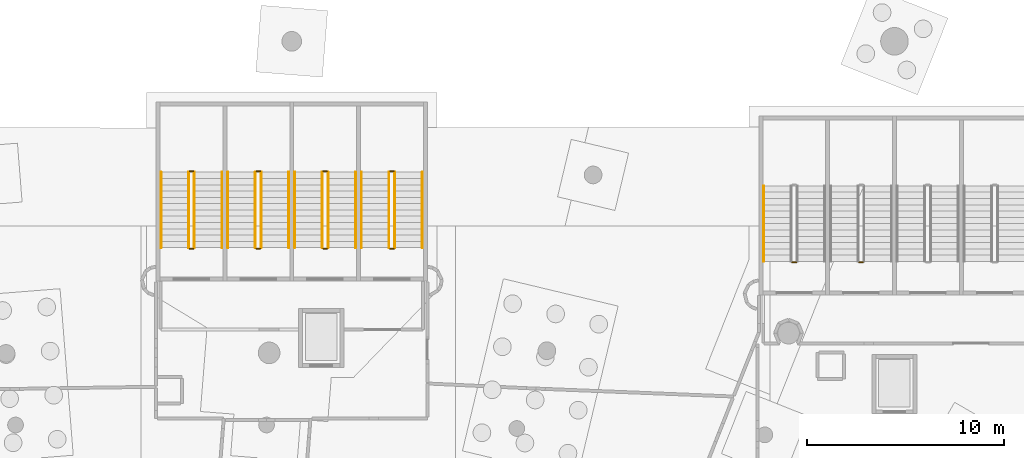
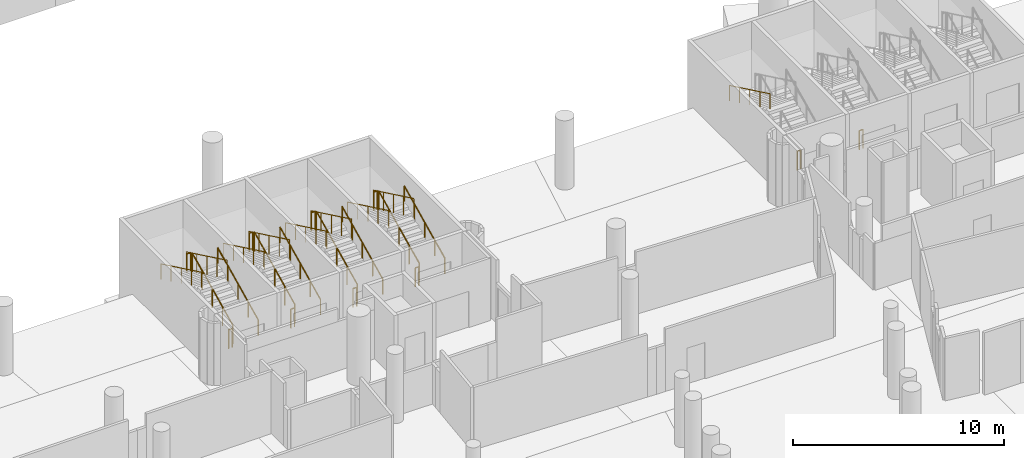
# One storey, part 138 of 142: 27 railings.
"""IFC4 building model written with IfcOpenShell, lengths in metres."""

from ifc_helpers import new_model, si_unit, direction, frame, origin, origin_2d, place, context, subcontext, project, spatial, circle, extrude, material, type_object, element, save


model = new_model("IFC4")

# Units and contexts
model_context = context("Model", 3, precision=1e-05, world=origin(), true_north=direction((0.0, 1.0)))
body_context = subcontext(model_context, "Body", "Model", "MODEL_VIEW")
ifc_project = project(units=[si_unit("LENGTHUNIT", "METRE"), si_unit("AREAUNIT", "SQUARE_METRE"), si_unit("VOLUMEUNIT", "CUBIC_METRE"), si_unit("PLANEANGLEUNIT", "RADIAN"), si_unit("MASSUNIT", "GRAM", prefix="KILO")], contexts=[model_context])

# Site, building, storey
site_placement = place(None, origin())
site = spatial("IfcSite", under=ifc_project, at=site_placement, CompositionType="ELEMENT")
building_placement = place(site_placement, origin())
building = spatial("IfcBuilding", under=site, at=building_placement, Name="Meseta Stadium", CompositionType="ELEMENT")
storey_placement = place(building_placement, frame((0.0, 0.0, -4.0)))
storey = spatial("IfcBuildingStorey", under=building, at=storey_placement, Name="B1", CompositionType="ELEMENT", Elevation=-4.0)

# Railings
ifc_material_1 = material(Name="Steel S355", Category="steel")
railing_type_1 = type_object("IfcRailingType", Name="Stair guard 1100", PredefinedType="GUARDRAIL", material=ifc_material_1)
for number, where, name in (
    (1, (36.7333984375, 94.14990234375, 0.0), "ST35 B1 guard 4"),
    (2, (33.333251953125, 94.14990234375, 0.0), "ST36 B1 guard 4"),
):
    element("IfcRailing", number, at=place(storey_placement, frame(where)), inside=storey, type_object=railing_type_1, Name=name, PredefinedType="GUARDRAIL", context=body_context, shape_type="SweptSolid", body=[
        extrude(circle(Radius=0.02392578125, at=origin_2d()), frame((0.0, 0.0, 1.076171875), z_axis=(-1.0, 0.0, 0.0), x_axis=(0.0, -1.0, 0.0)), (0.0, 0.0, 1.0), 0.199951171875),
        extrude(circle(Radius=0.02099609375, at=origin_2d()), origin(), (0.0, 0.0, 1.0), 1.052001953125),
        extrude(circle(Radius=0.02099609375, at=origin_2d()), frame((-0.199951171875, 0.0, 0.0)), (0.0, 0.0, 1.0), 1.052001953125),
    ])
railing_1_placement = place(storey_placement, frame((12.916748046875, 94.89990234375, 0.15380859375)))
element("IfcRailing", 3, at=railing_1_placement, inside=storey, type_object=railing_type_1, Name="ST37 B1 guard 1", PredefinedType="GUARDRAIL", context=body_context, shape_type="SweptSolid", body=[
    extrude(circle(Radius=0.02392578125, at=origin_2d()), frame((0.0, 0.0, 1.076171875), z_axis=(0.0, 0.901252854825, 0.433293539843), x_axis=(-1.0, 0.0, 0.0)), (0.0, 0.0, 1.0), 4.2607421875),
    extrude(circle(Radius=0.02099609375, at=origin_2d()), origin(), (0.0, 0.0, 1.0), 1.052001953125),
    extrude(circle(Radius=0.02099609375, at=origin_2d()), frame((0.0, 0.9599609375, 0.46142578125)), (0.0, 0.0, 1.0), 1.052001953125),
    extrude(circle(Radius=0.02099609375, at=origin_2d()), frame((0.0, 1.919921875, 0.923095703125)), (0.0, 0.0, 1.0), 1.052001953125),
    extrude(circle(Radius=0.02099609375, at=origin_2d()), frame((0.0, 2.880126953125, 1.384765625)), (0.0, 0.0, 1.0), 1.052001953125),
    extrude(circle(Radius=0.02099609375, at=origin_2d()), frame((0.0, 3.840087890625, 1.84619140625)), (0.0, 0.0, 1.0), 1.052001953125),
])
railing_2_placement = place(storey_placement, frame((12.86669921875, 98.7900390625, 2.0)))
element("IfcRailing", 4, at=railing_2_placement, inside=storey, type_object=railing_type_1, Name="ST37 B1 guard 2", PredefinedType="GUARDRAIL", context=body_context, shape_type="SweptSolid", body=[
    extrude(circle(Radius=0.02392578125, at=origin_2d()), frame((0.0, 0.0, 1.076171875), z_axis=(-1.0, 0.0, 0.0), x_axis=(0.0, -1.0, 0.0)), (0.0, 0.0, 1.0), 0.199951171875),
    extrude(circle(Radius=0.02099609375, at=origin_2d()), origin(), (0.0, 0.0, 1.0), 1.052001953125),
    extrude(circle(Radius=0.02099609375, at=origin_2d()), frame((-0.199951171875, 0.0, 0.0)), (0.0, 0.0, 1.0), 1.052001953125),
])
railing_3_placement = place(storey_placement, frame((12.61669921875, 98.739990234375, 2.15380859375)))
element("IfcRailing", 5, at=railing_3_placement, inside=storey, type_object=railing_type_1, Name="ST37 B1 guard 3", PredefinedType="GUARDRAIL", context=body_context, shape_type="SweptSolid", body=[
    extrude(circle(Radius=0.02392578125, at=origin_2d()), frame((0.0, 0.0, 1.076171875), z_axis=(0.0, -0.901252854825, 0.433293539843), x_axis=(1.0, 0.0, 0.0)), (0.0, 0.0, 1.0), 4.2607421875),
    extrude(circle(Radius=0.02099609375, at=origin_2d()), origin(), (0.0, 0.0, 1.0), 1.052001953125),
    extrude(circle(Radius=0.02099609375, at=origin_2d()), frame((0.0, -0.9599609375, 0.46142578125)), (0.0, 0.0, 1.0), 1.052001953125),
    extrude(circle(Radius=0.02099609375, at=origin_2d()), frame((0.0, -1.919921875, 0.923095703125)), (0.0, 0.0, 1.0), 1.052001953125),
    extrude(circle(Radius=0.02099609375, at=origin_2d()), frame((0.0, -2.880126953125, 1.384765625)), (0.0, 0.0, 1.0), 1.052001953125),
    extrude(circle(Radius=0.02099609375, at=origin_2d()), frame((0.0, -3.840087890625, 1.84619140625)), (0.0, 0.0, 1.0), 1.052001953125),
])
railing_4_placement = place(storey_placement, frame((12.86669921875, 94.85009765625, 0.0)))
element("IfcRailing", 6, at=railing_4_placement, inside=storey, type_object=railing_type_1, Name="ST37 B1 guard 4", PredefinedType="GUARDRAIL", context=body_context, shape_type="SweptSolid", body=[
    extrude(circle(Radius=0.02392578125, at=origin_2d()), frame((0.0, 0.0, 1.076171875), z_axis=(-1.0, 0.0, 0.0), x_axis=(0.0, -1.0, 0.0)), (0.0, 0.0, 1.0), 0.199951171875),
    extrude(circle(Radius=0.02099609375, at=origin_2d()), origin(), (0.0, 0.0, 1.0), 1.052001953125),
    extrude(circle(Radius=0.02099609375, at=origin_2d()), frame((-0.199951171875, 0.0, 0.0)), (0.0, 0.0, 1.0), 1.052001953125),
])
railing_5_placement = place(storey_placement, frame((9.5166015625, 94.89990234375, 0.15380859375)))
element("IfcRailing", 7, at=railing_5_placement, inside=storey, type_object=railing_type_1, Name="ST38 B1 guard 1", PredefinedType="GUARDRAIL", context=body_context, shape_type="SweptSolid", body=[
    extrude(circle(Radius=0.02392578125, at=origin_2d()), frame((0.0, 0.0, 1.076171875), z_axis=(0.0, 0.901252854825, 0.433293539843), x_axis=(-1.0, 0.0, 0.0)), (0.0, 0.0, 1.0), 4.2607421875),
    extrude(circle(Radius=0.02099609375, at=origin_2d()), origin(), (0.0, 0.0, 1.0), 1.052001953125),
    extrude(circle(Radius=0.02099609375, at=origin_2d()), frame((0.0, 0.9599609375, 0.46142578125)), (0.0, 0.0, 1.0), 1.052001953125),
    extrude(circle(Radius=0.02099609375, at=origin_2d()), frame((0.0, 1.919921875, 0.923095703125)), (0.0, 0.0, 1.0), 1.052001953125),
    extrude(circle(Radius=0.02099609375, at=origin_2d()), frame((0.0, 2.880126953125, 1.384765625)), (0.0, 0.0, 1.0), 1.052001953125),
    extrude(circle(Radius=0.02099609375, at=origin_2d()), frame((0.0, 3.840087890625, 1.84619140625)), (0.0, 0.0, 1.0), 1.052001953125),
])
railing_6_placement = place(storey_placement, frame((9.466552734375, 98.7900390625, 2.0)))
element("IfcRailing", 8, at=railing_6_placement, inside=storey, type_object=railing_type_1, Name="ST38 B1 guard 2", PredefinedType="GUARDRAIL", context=body_context, shape_type="SweptSolid", body=[
    extrude(circle(Radius=0.02392578125, at=origin_2d()), frame((0.0, 0.0, 1.076171875), z_axis=(-1.0, 0.0, 0.0), x_axis=(0.0, -1.0, 0.0)), (0.0, 0.0, 1.0), 0.199951171875),
    extrude(circle(Radius=0.02099609375, at=origin_2d()), origin(), (0.0, 0.0, 1.0), 1.052001953125),
    extrude(circle(Radius=0.02099609375, at=origin_2d()), frame((-0.199951171875, 0.0, 0.0)), (0.0, 0.0, 1.0), 1.052001953125),
])
railing_7_placement = place(storey_placement, frame((9.216552734375, 98.739990234375, 2.15380859375)))
element("IfcRailing", 9, at=railing_7_placement, inside=storey, type_object=railing_type_1, Name="ST38 B1 guard 3", PredefinedType="GUARDRAIL", context=body_context, shape_type="SweptSolid", body=[
    extrude(circle(Radius=0.02392578125, at=origin_2d()), frame((0.0, 0.0, 1.076171875), z_axis=(0.0, -0.901252854825, 0.433293539843), x_axis=(1.0, 0.0, 0.0)), (0.0, 0.0, 1.0), 4.2607421875),
    extrude(circle(Radius=0.02099609375, at=origin_2d()), origin(), (0.0, 0.0, 1.0), 1.052001953125),
    extrude(circle(Radius=0.02099609375, at=origin_2d()), frame((0.0, -0.9599609375, 0.46142578125)), (0.0, 0.0, 1.0), 1.052001953125),
    extrude(circle(Radius=0.02099609375, at=origin_2d()), frame((0.0, -1.919921875, 0.923095703125)), (0.0, 0.0, 1.0), 1.052001953125),
    extrude(circle(Radius=0.02099609375, at=origin_2d()), frame((0.0, -2.880126953125, 1.384765625)), (0.0, 0.0, 1.0), 1.052001953125),
    extrude(circle(Radius=0.02099609375, at=origin_2d()), frame((0.0, -3.840087890625, 1.84619140625)), (0.0, 0.0, 1.0), 1.052001953125),
])
railing_8_placement = place(storey_placement, frame((9.466552734375, 94.85009765625, 0.0)))
element("IfcRailing", 10, at=railing_8_placement, inside=storey, type_object=railing_type_1, Name="ST38 B1 guard 4", PredefinedType="GUARDRAIL", context=body_context, shape_type="SweptSolid", body=[
    extrude(circle(Radius=0.02392578125, at=origin_2d()), frame((0.0, 0.0, 1.076171875), z_axis=(-1.0, 0.0, 0.0), x_axis=(0.0, -1.0, 0.0)), (0.0, 0.0, 1.0), 0.199951171875),
    extrude(circle(Radius=0.02099609375, at=origin_2d()), origin(), (0.0, 0.0, 1.0), 1.052001953125),
    extrude(circle(Radius=0.02099609375, at=origin_2d()), frame((-0.199951171875, 0.0, 0.0)), (0.0, 0.0, 1.0), 1.052001953125),
])
railing_9_placement = place(storey_placement, frame((6.11669921875, 94.89990234375, 0.15380859375)))
element("IfcRailing", 11, at=railing_9_placement, inside=storey, type_object=railing_type_1, Name="ST39 B1 guard 1", PredefinedType="GUARDRAIL", context=body_context, shape_type="SweptSolid", body=[
    extrude(circle(Radius=0.02392578125, at=origin_2d()), frame((0.0, 0.0, 1.076171875), z_axis=(0.0, 0.901252854825, 0.433293539843), x_axis=(-1.0, 0.0, 0.0)), (0.0, 0.0, 1.0), 4.2607421875),
    extrude(circle(Radius=0.02099609375, at=origin_2d()), origin(), (0.0, 0.0, 1.0), 1.052001953125),
    extrude(circle(Radius=0.02099609375, at=origin_2d()), frame((0.0, 0.9599609375, 0.46142578125)), (0.0, 0.0, 1.0), 1.052001953125),
    extrude(circle(Radius=0.02099609375, at=origin_2d()), frame((0.0, 1.919921875, 0.923095703125)), (0.0, 0.0, 1.0), 1.052001953125),
    extrude(circle(Radius=0.02099609375, at=origin_2d()), frame((0.0, 2.880126953125, 1.384765625)), (0.0, 0.0, 1.0), 1.052001953125),
    extrude(circle(Radius=0.02099609375, at=origin_2d()), frame((0.0, 3.840087890625, 1.84619140625)), (0.0, 0.0, 1.0), 1.052001953125),
])
railing_10_placement = place(storey_placement, frame((6.066650390625, 98.7900390625, 2.0)))
element("IfcRailing", 12, at=railing_10_placement, inside=storey, type_object=railing_type_1, Name="ST39 B1 guard 2", PredefinedType="GUARDRAIL", context=body_context, shape_type="SweptSolid", body=[
    extrude(circle(Radius=0.02392578125, at=origin_2d()), frame((0.0, 0.0, 1.076171875), z_axis=(-1.0, 0.0, 0.0), x_axis=(0.0, -1.0, 0.0)), (0.0, 0.0, 1.0), 0.199951171875),
    extrude(circle(Radius=0.02099609375, at=origin_2d()), origin(), (0.0, 0.0, 1.0), 1.052001953125),
    extrude(circle(Radius=0.02099609375, at=origin_2d()), frame((-0.199951171875, 0.0, 0.0)), (0.0, 0.0, 1.0), 1.052001953125),
])
railing_11_placement = place(storey_placement, frame((5.816650390625, 98.739990234375, 2.15380859375)))
element("IfcRailing", 13, at=railing_11_placement, inside=storey, type_object=railing_type_1, Name="ST39 B1 guard 3", PredefinedType="GUARDRAIL", context=body_context, shape_type="SweptSolid", body=[
    extrude(circle(Radius=0.02392578125, at=origin_2d()), frame((0.0, 0.0, 1.076171875), z_axis=(0.0, -0.901252854825, 0.433293539843), x_axis=(1.0, 0.0, 0.0)), (0.0, 0.0, 1.0), 4.2607421875),
    extrude(circle(Radius=0.02099609375, at=origin_2d()), origin(), (0.0, 0.0, 1.0), 1.052001953125),
    extrude(circle(Radius=0.02099609375, at=origin_2d()), frame((0.0, -0.9599609375, 0.46142578125)), (0.0, 0.0, 1.0), 1.052001953125),
    extrude(circle(Radius=0.02099609375, at=origin_2d()), frame((0.0, -1.919921875, 0.923095703125)), (0.0, 0.0, 1.0), 1.052001953125),
    extrude(circle(Radius=0.02099609375, at=origin_2d()), frame((0.0, -2.880126953125, 1.384765625)), (0.0, 0.0, 1.0), 1.052001953125),
    extrude(circle(Radius=0.02099609375, at=origin_2d()), frame((0.0, -3.840087890625, 1.84619140625)), (0.0, 0.0, 1.0), 1.052001953125),
])
railing_12_placement = place(storey_placement, frame((6.066650390625, 94.85009765625, 0.0)))
element("IfcRailing", 14, at=railing_12_placement, inside=storey, type_object=railing_type_1, Name="ST39 B1 guard 4", PredefinedType="GUARDRAIL", context=body_context, shape_type="SweptSolid", body=[
    extrude(circle(Radius=0.02392578125, at=origin_2d()), frame((0.0, 0.0, 1.076171875), z_axis=(-1.0, 0.0, 0.0), x_axis=(0.0, -1.0, 0.0)), (0.0, 0.0, 1.0), 0.199951171875),
    extrude(circle(Radius=0.02099609375, at=origin_2d()), origin(), (0.0, 0.0, 1.0), 1.052001953125),
    extrude(circle(Radius=0.02099609375, at=origin_2d()), frame((-0.199951171875, 0.0, 0.0)), (0.0, 0.0, 1.0), 1.052001953125),
])
railing_13_placement = place(storey_placement, frame((2.716552734375, 94.89990234375, 0.15380859375)))
element("IfcRailing", 15, at=railing_13_placement, inside=storey, type_object=railing_type_1, Name="ST40 B1 guard 1", PredefinedType="GUARDRAIL", context=body_context, shape_type="SweptSolid", body=[
    extrude(circle(Radius=0.02392578125, at=origin_2d()), frame((0.0, 0.0, 1.076171875), z_axis=(0.0, 0.901252854825, 0.433293539843), x_axis=(-1.0, 0.0, 0.0)), (0.0, 0.0, 1.0), 4.2607421875),
    extrude(circle(Radius=0.02099609375, at=origin_2d()), origin(), (0.0, 0.0, 1.0), 1.052001953125),
    extrude(circle(Radius=0.02099609375, at=origin_2d()), frame((0.0, 0.9599609375, 0.46142578125)), (0.0, 0.0, 1.0), 1.052001953125),
    extrude(circle(Radius=0.02099609375, at=origin_2d()), frame((0.0, 1.919921875, 0.923095703125)), (0.0, 0.0, 1.0), 1.052001953125),
    extrude(circle(Radius=0.02099609375, at=origin_2d()), frame((0.0, 2.880126953125, 1.384765625)), (0.0, 0.0, 1.0), 1.052001953125),
    extrude(circle(Radius=0.02099609375, at=origin_2d()), frame((0.0, 3.840087890625, 1.84619140625)), (0.0, 0.0, 1.0), 1.052001953125),
])
railing_14_placement = place(storey_placement, frame((2.666748046875, 98.7900390625, 2.0)))
element("IfcRailing", 16, at=railing_14_placement, inside=storey, type_object=railing_type_1, Name="ST40 B1 guard 2", PredefinedType="GUARDRAIL", context=body_context, shape_type="SweptSolid", body=[
    extrude(circle(Radius=0.02392578125, at=origin_2d()), frame((0.0, 0.0, 1.076171875), z_axis=(-1.0, 0.0, 0.0), x_axis=(0.0, -1.0, 0.0)), (0.0, 0.0, 1.0), 0.2001953125),
    extrude(circle(Radius=0.02099609375, at=origin_2d()), origin(), (0.0, 0.0, 1.0), 1.052001953125),
    extrude(circle(Radius=0.02099609375, at=origin_2d()), frame((-0.2001953125, 0.0, 0.0)), (0.0, 0.0, 1.0), 1.052001953125),
])
railing_15_placement = place(storey_placement, frame((2.416748046875, 98.739990234375, 2.15380859375)))
element("IfcRailing", 17, at=railing_15_placement, inside=storey, type_object=railing_type_1, Name="ST40 B1 guard 3", PredefinedType="GUARDRAIL", context=body_context, shape_type="SweptSolid", body=[
    extrude(circle(Radius=0.02392578125, at=origin_2d()), frame((0.0, 0.0, 1.076171875), z_axis=(0.0, -0.901252854825, 0.433293539843), x_axis=(1.0, 0.0, 0.0)), (0.0, 0.0, 1.0), 4.2607421875),
    extrude(circle(Radius=0.02099609375, at=origin_2d()), origin(), (0.0, 0.0, 1.0), 1.052001953125),
    extrude(circle(Radius=0.02099609375, at=origin_2d()), frame((0.0, -0.9599609375, 0.46142578125)), (0.0, 0.0, 1.0), 1.052001953125),
    extrude(circle(Radius=0.02099609375, at=origin_2d()), frame((0.0, -1.919921875, 0.923095703125)), (0.0, 0.0, 1.0), 1.052001953125),
    extrude(circle(Radius=0.02099609375, at=origin_2d()), frame((0.0, -2.880126953125, 1.384765625)), (0.0, 0.0, 1.0), 1.052001953125),
    extrude(circle(Radius=0.02099609375, at=origin_2d()), frame((0.0, -3.840087890625, 1.84619140625)), (0.0, 0.0, 1.0), 1.052001953125),
])
railing_16_placement = place(storey_placement, frame((2.666748046875, 94.85009765625, 0.0)))
element("IfcRailing", 18, at=railing_16_placement, inside=storey, type_object=railing_type_1, Name="ST40 B1 guard 4", PredefinedType="GUARDRAIL", context=body_context, shape_type="SweptSolid", body=[
    extrude(circle(Radius=0.02392578125, at=origin_2d()), frame((0.0, 0.0, 1.076171875), z_axis=(-1.0, 0.0, 0.0), x_axis=(0.0, -1.0, 0.0)), (0.0, 0.0, 1.0), 0.2001953125),
    extrude(circle(Radius=0.02099609375, at=origin_2d()), origin(), (0.0, 0.0, 1.0), 1.052001953125),
    extrude(circle(Radius=0.02099609375, at=origin_2d()), frame((-0.2001953125, 0.0, 0.0)), (0.0, 0.0, 1.0), 1.052001953125),
])
ifc_material_2 = material(Name="Steel S355", Category="steel")
railing_type_2 = type_object("IfcRailingType", Name="Stair handrail 900", PredefinedType="HANDRAIL", material=ifc_material_2)
railing_17_placement = place(storey_placement, frame((31.683349609375, 98.0400390625, 2.15380859375)))
element("IfcRailing", 19, at=railing_17_placement, inside=storey, type_object=railing_type_2, Name="ST36 B1 handrail 2", PredefinedType="HANDRAIL", context=body_context, shape_type="SweptSolid", body=[
    extrude(circle(Radius=0.02392578125, at=origin_2d()), frame((0.0, 0.0, 0.8759765625), z_axis=(0.0, -0.901252854825, 0.433293539843), x_axis=(1.0, 0.0, 0.0)), (0.0, 0.0, 1.0), 4.2607421875),
    extrude(circle(Radius=0.02099609375, at=origin_2d()), origin(), (0.0, 0.0, 1.0), 0.851806640625),
    extrude(circle(Radius=0.02099609375, at=origin_2d()), frame((0.0, -0.9599609375, 0.46142578125)), (0.0, 0.0, 1.0), 0.851806640625),
    extrude(circle(Radius=0.02099609375, at=origin_2d()), frame((0.0, -1.919921875, 0.923095703125)), (0.0, 0.0, 1.0), 0.851806640625),
    extrude(circle(Radius=0.02099609375, at=origin_2d()), frame((0.0, -2.880126953125, 1.384765625)), (0.0, 0.0, 1.0), 0.851806640625),
    extrude(circle(Radius=0.02099609375, at=origin_2d()), frame((0.0, -3.840087890625, 1.84619140625)), (0.0, 0.0, 1.0), 0.851806640625),
])
railing_18_placement = place(storey_placement, frame((14.316650390625, 94.89990234375, 0.15380859375)))
element("IfcRailing", 20, at=railing_18_placement, inside=storey, type_object=railing_type_2, Name="ST37 B1 handrail 1", PredefinedType="HANDRAIL", context=body_context, shape_type="SweptSolid", body=[
    extrude(circle(Radius=0.02392578125, at=origin_2d()), frame((0.0, 0.0, 0.8759765625), z_axis=(0.0, 0.901252854825, 0.433293539843), x_axis=(-1.0, 0.0, 0.0)), (0.0, 0.0, 1.0), 4.2607421875),
    extrude(circle(Radius=0.02099609375, at=origin_2d()), origin(), (0.0, 0.0, 1.0), 0.851806640625),
    extrude(circle(Radius=0.02099609375, at=origin_2d()), frame((0.0, 0.9599609375, 0.46142578125)), (0.0, 0.0, 1.0), 0.851806640625),
    extrude(circle(Radius=0.02099609375, at=origin_2d()), frame((0.0, 1.919921875, 0.923095703125)), (0.0, 0.0, 1.0), 0.851806640625),
    extrude(circle(Radius=0.02099609375, at=origin_2d()), frame((0.0, 2.880126953125, 1.384765625)), (0.0, 0.0, 1.0), 0.851806640625),
    extrude(circle(Radius=0.02099609375, at=origin_2d()), frame((0.0, 3.840087890625, 1.84619140625)), (0.0, 0.0, 1.0), 0.851806640625),
])
railing_19_placement = place(storey_placement, frame((11.216552734375, 98.739990234375, 2.15380859375)))
element("IfcRailing", 21, at=railing_19_placement, inside=storey, type_object=railing_type_2, Name="ST37 B1 handrail 2", PredefinedType="HANDRAIL", context=body_context, shape_type="SweptSolid", body=[
    extrude(circle(Radius=0.02392578125, at=origin_2d()), frame((0.0, 0.0, 0.8759765625), z_axis=(0.0, -0.901252854825, 0.433293539843), x_axis=(1.0, 0.0, 0.0)), (0.0, 0.0, 1.0), 4.2607421875),
    extrude(circle(Radius=0.02099609375, at=origin_2d()), origin(), (0.0, 0.0, 1.0), 0.851806640625),
    extrude(circle(Radius=0.02099609375, at=origin_2d()), frame((0.0, -0.9599609375, 0.46142578125)), (0.0, 0.0, 1.0), 0.851806640625),
    extrude(circle(Radius=0.02099609375, at=origin_2d()), frame((0.0, -1.919921875, 0.923095703125)), (0.0, 0.0, 1.0), 0.851806640625),
    extrude(circle(Radius=0.02099609375, at=origin_2d()), frame((0.0, -2.880126953125, 1.384765625)), (0.0, 0.0, 1.0), 0.851806640625),
    extrude(circle(Radius=0.02099609375, at=origin_2d()), frame((0.0, -3.840087890625, 1.84619140625)), (0.0, 0.0, 1.0), 0.851806640625),
])
railing_20_placement = place(storey_placement, frame((10.916748046875, 94.89990234375, 0.15380859375)))
element("IfcRailing", 22, at=railing_20_placement, inside=storey, type_object=railing_type_2, Name="ST38 B1 handrail 1", PredefinedType="HANDRAIL", context=body_context, shape_type="SweptSolid", body=[
    extrude(circle(Radius=0.02392578125, at=origin_2d()), frame((0.0, 0.0, 0.8759765625), z_axis=(0.0, 0.901252854825, 0.433293539843), x_axis=(-1.0, 0.0, 0.0)), (0.0, 0.0, 1.0), 4.2607421875),
    extrude(circle(Radius=0.02099609375, at=origin_2d()), origin(), (0.0, 0.0, 1.0), 0.851806640625),
    extrude(circle(Radius=0.02099609375, at=origin_2d()), frame((0.0, 0.9599609375, 0.46142578125)), (0.0, 0.0, 1.0), 0.851806640625),
    extrude(circle(Radius=0.02099609375, at=origin_2d()), frame((0.0, 1.919921875, 0.923095703125)), (0.0, 0.0, 1.0), 0.851806640625),
    extrude(circle(Radius=0.02099609375, at=origin_2d()), frame((0.0, 2.880126953125, 1.384765625)), (0.0, 0.0, 1.0), 0.851806640625),
    extrude(circle(Radius=0.02099609375, at=origin_2d()), frame((0.0, 3.840087890625, 1.84619140625)), (0.0, 0.0, 1.0), 0.851806640625),
])
railing_21_placement = place(storey_placement, frame((7.816650390625, 98.739990234375, 2.15380859375)))
element("IfcRailing", 23, at=railing_21_placement, inside=storey, type_object=railing_type_2, Name="ST38 B1 handrail 2", PredefinedType="HANDRAIL", context=body_context, shape_type="SweptSolid", body=[
    extrude(circle(Radius=0.02392578125, at=origin_2d()), frame((0.0, 0.0, 0.8759765625), z_axis=(0.0, -0.901252854825, 0.433293539843), x_axis=(1.0, 0.0, 0.0)), (0.0, 0.0, 1.0), 4.2607421875),
    extrude(circle(Radius=0.02099609375, at=origin_2d()), origin(), (0.0, 0.0, 1.0), 0.851806640625),
    extrude(circle(Radius=0.02099609375, at=origin_2d()), frame((0.0, -0.9599609375, 0.46142578125)), (0.0, 0.0, 1.0), 0.851806640625),
    extrude(circle(Radius=0.02099609375, at=origin_2d()), frame((0.0, -1.919921875, 0.923095703125)), (0.0, 0.0, 1.0), 0.851806640625),
    extrude(circle(Radius=0.02099609375, at=origin_2d()), frame((0.0, -2.880126953125, 1.384765625)), (0.0, 0.0, 1.0), 0.851806640625),
    extrude(circle(Radius=0.02099609375, at=origin_2d()), frame((0.0, -3.840087890625, 1.84619140625)), (0.0, 0.0, 1.0), 0.851806640625),
])
railing_22_placement = place(storey_placement, frame((7.5166015625, 94.89990234375, 0.15380859375)))
element("IfcRailing", 24, at=railing_22_placement, inside=storey, type_object=railing_type_2, Name="ST39 B1 handrail 1", PredefinedType="HANDRAIL", context=body_context, shape_type="SweptSolid", body=[
    extrude(circle(Radius=0.02392578125, at=origin_2d()), frame((0.0, 0.0, 0.8759765625), z_axis=(0.0, 0.901252854825, 0.433293539843), x_axis=(-1.0, 0.0, 0.0)), (0.0, 0.0, 1.0), 4.2607421875),
    extrude(circle(Radius=0.02099609375, at=origin_2d()), origin(), (0.0, 0.0, 1.0), 0.851806640625),
    extrude(circle(Radius=0.02099609375, at=origin_2d()), frame((0.0, 0.9599609375, 0.46142578125)), (0.0, 0.0, 1.0), 0.851806640625),
    extrude(circle(Radius=0.02099609375, at=origin_2d()), frame((0.0, 1.919921875, 0.923095703125)), (0.0, 0.0, 1.0), 0.851806640625),
    extrude(circle(Radius=0.02099609375, at=origin_2d()), frame((0.0, 2.880126953125, 1.384765625)), (0.0, 0.0, 1.0), 0.851806640625),
    extrude(circle(Radius=0.02099609375, at=origin_2d()), frame((0.0, 3.840087890625, 1.84619140625)), (0.0, 0.0, 1.0), 0.851806640625),
])
railing_23_placement = place(storey_placement, frame((4.416748046875, 98.739990234375, 2.15380859375)))
element("IfcRailing", 25, at=railing_23_placement, inside=storey, type_object=railing_type_2, Name="ST39 B1 handrail 2", PredefinedType="HANDRAIL", context=body_context, shape_type="SweptSolid", body=[
    extrude(circle(Radius=0.02392578125, at=origin_2d()), frame((0.0, 0.0, 0.8759765625), z_axis=(0.0, -0.901252854825, 0.433293539843), x_axis=(1.0, 0.0, 0.0)), (0.0, 0.0, 1.0), 4.2607421875),
    extrude(circle(Radius=0.02099609375, at=origin_2d()), origin(), (0.0, 0.0, 1.0), 0.851806640625),
    extrude(circle(Radius=0.02099609375, at=origin_2d()), frame((0.0, -0.9599609375, 0.46142578125)), (0.0, 0.0, 1.0), 0.851806640625),
    extrude(circle(Radius=0.02099609375, at=origin_2d()), frame((0.0, -1.919921875, 0.923095703125)), (0.0, 0.0, 1.0), 0.851806640625),
    extrude(circle(Radius=0.02099609375, at=origin_2d()), frame((0.0, -2.880126953125, 1.384765625)), (0.0, 0.0, 1.0), 0.851806640625),
    extrude(circle(Radius=0.02099609375, at=origin_2d()), frame((0.0, -3.840087890625, 1.84619140625)), (0.0, 0.0, 1.0), 0.851806640625),
])
railing_24_placement = place(storey_placement, frame((4.11669921875, 94.89990234375, 0.15380859375)))
element("IfcRailing", 26, at=railing_24_placement, inside=storey, type_object=railing_type_2, Name="ST40 B1 handrail 1", PredefinedType="HANDRAIL", context=body_context, shape_type="SweptSolid", body=[
    extrude(circle(Radius=0.02392578125, at=origin_2d()), frame((0.0, 0.0, 0.8759765625), z_axis=(0.0, 0.901252854825, 0.433293539843), x_axis=(-1.0, 0.0, 0.0)), (0.0, 0.0, 1.0), 4.2607421875),
    extrude(circle(Radius=0.02099609375, at=origin_2d()), origin(), (0.0, 0.0, 1.0), 0.851806640625),
    extrude(circle(Radius=0.02099609375, at=origin_2d()), frame((0.0, 0.9599609375, 0.46142578125)), (0.0, 0.0, 1.0), 0.851806640625),
    extrude(circle(Radius=0.02099609375, at=origin_2d()), frame((0.0, 1.919921875, 0.923095703125)), (0.0, 0.0, 1.0), 0.851806640625),
    extrude(circle(Radius=0.02099609375, at=origin_2d()), frame((0.0, 2.880126953125, 1.384765625)), (0.0, 0.0, 1.0), 0.851806640625),
    extrude(circle(Radius=0.02099609375, at=origin_2d()), frame((0.0, 3.840087890625, 1.84619140625)), (0.0, 0.0, 1.0), 0.851806640625),
])
railing_25_placement = place(storey_placement, frame((1.0166015625, 98.739990234375, 2.15380859375)))
element("IfcRailing", 27, at=railing_25_placement, inside=storey, type_object=railing_type_2, Name="ST40 B1 handrail 2", PredefinedType="HANDRAIL", context=body_context, shape_type="SweptSolid", body=[
    extrude(circle(Radius=0.02392578125, at=origin_2d()), frame((0.0, 0.0, 0.8759765625), z_axis=(0.0, -0.901252854825, 0.433293539843), x_axis=(1.0, 0.0, 0.0)), (0.0, 0.0, 1.0), 4.2607421875),
    extrude(circle(Radius=0.02099609375, at=origin_2d()), origin(), (0.0, 0.0, 1.0), 0.851806640625),
    extrude(circle(Radius=0.02099609375, at=origin_2d()), frame((0.0, -0.9599609375, 0.46142578125)), (0.0, 0.0, 1.0), 0.851806640625),
    extrude(circle(Radius=0.02099609375, at=origin_2d()), frame((0.0, -1.919921875, 0.923095703125)), (0.0, 0.0, 1.0), 0.851806640625),
    extrude(circle(Radius=0.02099609375, at=origin_2d()), frame((0.0, -2.880126953125, 1.384765625)), (0.0, 0.0, 1.0), 0.851806640625),
    extrude(circle(Radius=0.02099609375, at=origin_2d()), frame((0.0, -3.840087890625, 1.84619140625)), (0.0, 0.0, 1.0), 0.851806640625),
])

save(model, "model.ifc")
